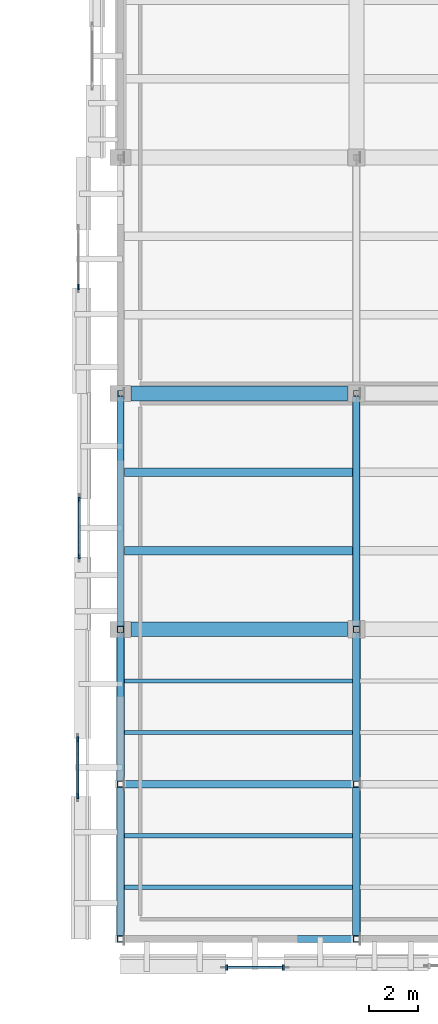
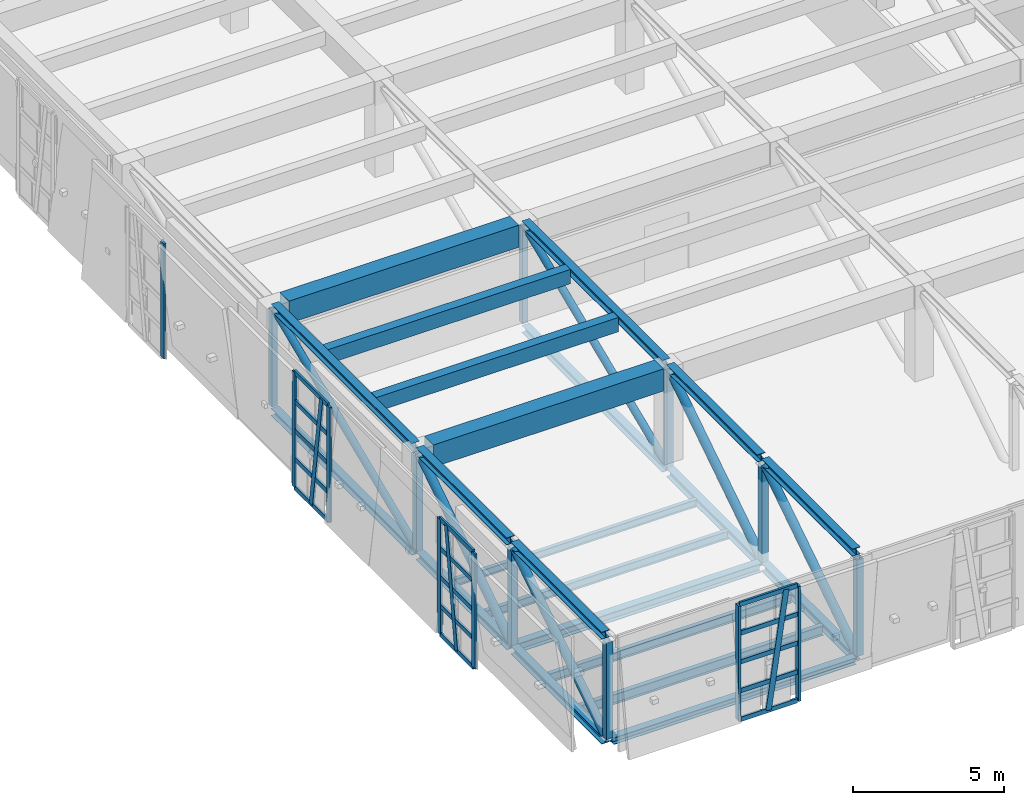
# One storey, part 3 of 62: 51 members, 10 beams, 4 elements without a shape of their own.
"""IFC4 building model written with IfcOpenShell, lengths in metres."""

from ifc_helpers import new_model, si_unit, direction, frame, origin, origin_2d, place, context, subcontext, project, spatial, rectangle, hollow_rectangle, hollow_circle, i_section, extrude, material, layer, layer_set, material_profile, profile_set, type_object, element, aggregate, save


model = new_model("IFC4")

# Units and contexts
model_context = context("Model", 3, precision=1e-05, world=origin(), true_north=direction((0.0, 1.0)))
body_context = subcontext(model_context, "Body", "Model", "MODEL_VIEW")
ifc_project = project(units=[si_unit("LENGTHUNIT", "METRE"), si_unit("AREAUNIT", "SQUARE_METRE"), si_unit("VOLUMEUNIT", "CUBIC_METRE"), si_unit("PLANEANGLEUNIT", "RADIAN"), si_unit("MASSUNIT", "GRAM", prefix="KILO")], contexts=[model_context])

# Site, building, storey
site_placement = place(None, origin())
site = spatial("IfcSite", under=ifc_project, at=site_placement, CompositionType="ELEMENT")
building_placement = place(site_placement, origin())
building = spatial("IfcBuilding", under=site, at=building_placement, Name="Bempovik Park Faculty of Sciences", CompositionType="ELEMENT")
storey_placement = place(building_placement, frame((0.0, 0.0, 9.89990234375)))
storey = spatial("IfcBuildingStorey", under=building, at=storey_placement, Name="L02", CompositionType="ELEMENT", Elevation=9.89990234375)

# Beams
ifc_material_1 = material(Name="Steel S355", Category="steel")
ifc_material_profile_1 = material_profile(ifc_material_1, i_section(OverallWidth=0.14990234375, OverallDepth=0.300048828125, WebThickness=0.007080078125, FlangeThickness=0.0107421875, at=origin_2d()), Name="IPE 300")
ifc_profile_set_1 = profile_set([ifc_material_profile_1], Name="Steel S355")
beam_type_1 = type_object("IfcBeamType", Name="B-043 IPE 300", PredefinedType="JOIST", material=ifc_profile_set_1)
beam_1_placement = place(storey_placement, frame((60.156005859375, 17.699951171875, -0.469970703125), z_axis=(1.0, 0.0, 0.0), x_axis=(0.0, 1.0, 0.0)))
element("IfcBeam", 1, at=beam_1_placement, inside=storey, type_object=beam_type_1, Name="Cantilever Floor Joist L02 (60.0-69.6, y=17.7)", PredefinedType="JOIST", context=body_context, shape_type="SweptSolid", body=[
    extrude(i_section(OverallWidth=0.14990234375, OverallDepth=0.300048828125, WebThickness=0.007080078125, FlangeThickness=0.0107421875, at=origin_2d()), origin(), (0.0, 0.0, 1.0), 9.2880859375),
])
ifc_material_profile_2 = material_profile(ifc_material_1, i_section(OverallWidth=0.300048828125, OverallDepth=0.360107421875, WebThickness=0.012451171875, FlangeThickness=0.0224609375, at=origin_2d()), Name="HEB 360")
ifc_profile_set_2 = profile_set([ifc_material_profile_2], Name="Steel S355")
beam_type_2 = type_object("IfcBeamType", Name="B-102 HEB 360", PredefinedType="BEAM", material=ifc_profile_set_2)
beam_2_placement = place(storey_placement, frame((60.156005859375, 13.5, -0.5), z_axis=(1.0, 0.0, 0.0), x_axis=(0.0, 1.0, 0.0)))
element("IfcBeam", 2, at=beam_2_placement, inside=storey, type_object=beam_type_2, Name="Cantilever Collector Beam L02 (60.0-69.6, y=13.5)", PredefinedType="BEAM", context=body_context, shape_type="SweptSolid", body=[
    extrude(i_section(OverallWidth=0.300048828125, OverallDepth=0.360107421875, WebThickness=0.012451171875, FlangeThickness=0.0224609375, at=origin_2d()), origin(), (0.0, 0.0, 1.0), 9.2880859375),
])
ifc_material_profile_3 = material_profile(ifc_material_1, i_section(OverallWidth=0.169921875, OverallDepth=0.360107421875, WebThickness=0.008056640625, FlangeThickness=0.0126953125, at=origin_2d()), Name="IPE 360")
ifc_profile_set_3 = profile_set([ifc_material_profile_3], Name="Steel S355")
beam_type_3 = type_object("IfcBeamType", Name="B-103 IPE 360", PredefinedType="JOIST", material=ifc_profile_set_3)
beam_3_placement = place(storey_placement, frame((60.156005859375, 11.39990234375, -0.5), z_axis=(1.0, 0.0, 0.0), x_axis=(0.0, 1.0, 0.0)))
element("IfcBeam", 3, at=beam_3_placement, inside=storey, type_object=beam_type_3, Name="Cantilever Floor Joist L02 (60.0-69.6, y=11.4)", PredefinedType="JOIST", context=body_context, shape_type="SweptSolid", body=[
    extrude(i_section(OverallWidth=0.169921875, OverallDepth=0.360107421875, WebThickness=0.008056640625, FlangeThickness=0.0126953125, at=origin_2d()), origin(), (0.0, 0.0, 1.0), 9.2880859375),
])
ifc_material_2 = material(Name="Concrete C35/45", Category="concrete")
ifc_material_profile_4 = material_profile(ifc_material_2, rectangle(XDim=0.35009765625, YDim=0.580078125, at=origin_2d()), Name="RC 350x580")
ifc_profile_set_4 = profile_set([ifc_material_profile_4], Name="Concrete C35/45")
beam_type_4 = type_object("IfcBeamType", Name="B-107 RC 350x580", PredefinedType="JOIST", material=ifc_profile_set_4)
for number, where, z_axis, x_axis, name in (
    (4, (60.156005859375, 23.0, 3.610107421875), (1.0, 0.0, 0.0), (0.0, 1.0, 0.0), "L02 Secondary Joist (60.0-69.6, y=23.00)"),
    (5, (60.156005859375, 26.199951171875, 3.610107421875), (1.0, 0.0, 0.0), (0.0, 1.0, 0.0), "L02 Secondary Joist (60.0-69.6, y=26.20)"),
):
    element("IfcBeam", number, at=place(storey_placement, frame(where, z_axis=z_axis, x_axis=x_axis)), inside=storey, type_object=beam_type_4, Name=name, PredefinedType="JOIST", context=body_context, shape_type="SweptSolid", body=[
        extrude(rectangle(XDim=0.35009765625, YDim=0.580078125, at=origin_2d()), origin(), (0.0, 0.0, 1.0), 9.2880859375),
    ])
ifc_material_profile_5 = material_profile(ifc_material_1, i_section(OverallWidth=0.179931640625, OverallDepth=0.39990234375, WebThickness=0.008544921875, FlangeThickness=0.013427734375, at=origin_2d()), Name="IPE 400")
ifc_profile_set_5 = profile_set([ifc_material_profile_5], Name="Steel S355")
beam_type_5 = type_object("IfcBeamType", Name="B-111 IPE 400", PredefinedType="BEAM", material=ifc_profile_set_5)
beam_4_placement = place(storey_placement, frame((60.156005859375, 9.300048828125, -0.52001953125), z_axis=(1.0, 0.0, 0.0), x_axis=(0.0, 1.0, 0.0)))
element("IfcBeam", 6, at=beam_4_placement, inside=storey, type_object=beam_type_5, Name="Cantilever Floor Joist L02 (60.0-69.6, y=9.3)", PredefinedType="BEAM", context=body_context, shape_type="SweptSolid", body=[
    extrude(i_section(OverallWidth=0.179931640625, OverallDepth=0.39990234375, WebThickness=0.008544921875, FlangeThickness=0.013427734375, at=origin_2d()), origin(), (0.0, 0.0, 1.0), 9.2880859375),
])
ifc_material_3 = material(Name="Concrete C40/50", Category="concrete")
ifc_material_profile_6 = material_profile(ifc_material_3, rectangle(XDim=0.60009765625, YDim=0.89990234375, at=origin_2d()), Name="RC 600x900")
ifc_profile_set_6 = profile_set([ifc_material_profile_6], Name="Concrete C40/50")
beam_type_6 = type_object("IfcBeamType", Name="B-115 RC 600x900", PredefinedType="BEAM", material=ifc_profile_set_6)
for number, where, z_axis, x_axis, name in (
    (7, (60.430908203125, 19.800048828125, 3.4501953125), (1.0, 0.0, 0.0), (0.0, 1.0, 0.0), "L02 Beam X (60.0-69.6, y=19.8)"),
    (8, (60.430908203125, 29.39990234375, 3.4501953125), (1.0, 0.0, 0.0), (0.0, 1.0, 0.0), "L02 Beam X (60.0-69.6, y=29.4)"),
):
    element("IfcBeam", number, at=place(storey_placement, frame(where, z_axis=z_axis, x_axis=x_axis)), inside=storey, type_object=beam_type_6, Name=name, PredefinedType="BEAM", context=body_context, shape_type="SweptSolid", body=[
        extrude(rectangle(XDim=0.60009765625, YDim=0.89990234375, at=origin_2d()), origin(), (0.0, 0.0, 1.0), 8.81298828125),
    ])
ifc_material_profile_7 = material_profile(ifc_material_1, i_section(OverallWidth=0.280029296875, OverallDepth=0.280029296875, WebThickness=0.010498046875, FlangeThickness=0.01806640625, at=origin_2d()), Name="HEB 280")
ifc_profile_set_7 = profile_set([ifc_material_profile_7], Name="Steel S355")
beam_type_7 = type_object("IfcBeamType", Name="B-119 HEB 280", PredefinedType="SPANDREL", material=ifc_profile_set_7)
beam_5_placement = place(storey_placement, frame((60.156005859375, 7.199951171875, -0.4599609375), z_axis=(1.0, 0.0, 0.0), x_axis=(0.0, 1.0, 0.0)))
element("IfcBeam", 9, at=beam_5_placement, inside=storey, type_object=beam_type_7, Name="Cantilever Collector Beam L02 (60.0-69.6, y=7.2)", PredefinedType="SPANDREL", context=body_context, shape_type="SweptSolid", body=[
    extrude(i_section(OverallWidth=0.280029296875, OverallDepth=0.280029296875, WebThickness=0.010498046875, FlangeThickness=0.01806640625, at=origin_2d()), origin(), (0.0, 0.0, 1.0), 9.2880859375),
])
ifc_material_profile_8 = material_profile(ifc_material_1, i_section(OverallWidth=0.159912109375, OverallDepth=0.330078125, WebThickness=0.007568359375, FlangeThickness=0.011474609375, at=origin_2d()), Name="IPE 330")
ifc_profile_set_8 = profile_set([ifc_material_profile_8], Name="Steel S355")
beam_type_8 = type_object("IfcBeamType", Name="B-126 IPE 330", PredefinedType="BEAM", material=ifc_profile_set_8)
beam_6_placement = place(storey_placement, frame((60.156005859375, 15.60009765625, -0.48486328125), z_axis=(1.0, 0.0, 0.0), x_axis=(0.0, 1.0, 0.0)))
element("IfcBeam", 10, at=beam_6_placement, inside=storey, type_object=beam_type_8, Name="Cantilever Floor Joist L02 (60.0-69.6, y=15.6)", PredefinedType="BEAM", context=body_context, shape_type="SweptSolid", body=[
    extrude(i_section(OverallWidth=0.159912109375, OverallDepth=0.330078125, WebThickness=0.007568359375, FlangeThickness=0.011474609375, at=origin_2d()), origin(), (0.0, 0.0, 1.0), 9.2880859375),
])

# Members
ifc_material_profile_9 = material_profile(ifc_material_1, i_section(OverallWidth=0.300048828125, OverallDepth=0.320068359375, WebThickness=0.011474609375, FlangeThickness=0.0205078125, at=origin_2d()), Name="HEB 320")
ifc_profile_set_9 = profile_set([ifc_material_profile_9], Name="Steel S355")
member_type_1 = type_object("IfcMemberType", Name="M-24 HEB 320", PredefinedType="CHORD", material=ifc_profile_set_9)
for number, where, z_axis, x_axis, name in (
    (11, (60.0, 7.33203125, -0.47998046875), (0.0, 1.0, 0.0), (-1.0, 0.0, 0.0), "Cantilever Truss 1 Bottom Chord 1"),
    (12, (60.0, 13.632080078125, -0.47998046875), (0.0, 1.0, 0.0), (-1.0, 0.0, 0.0), "Cantilever Truss 1 Bottom Chord 2"),
    (13, (69.60009765625, 7.33203125, -0.47998046875), (0.0, 1.0, 0.0), (-1.0, 0.0, 0.0), "Cantilever Truss 2 Bottom Chord 1"),
    (14, (69.60009765625, 13.632080078125, -0.47998046875), (0.0, 1.0, 0.0), (-1.0, 0.0, 0.0), "Cantilever Truss 2 Bottom Chord 2"),
):
    element("IfcMember", number, at=place(storey_placement, frame(where, z_axis=z_axis, x_axis=x_axis)), inside=storey, type_object=member_type_1, Name=name, PredefinedType="CHORD", context=body_context, shape_type="SweptSolid", body=[
        extrude(i_section(OverallWidth=0.300048828125, OverallDepth=0.320068359375, WebThickness=0.011474609375, FlangeThickness=0.0205078125, at=origin_2d()), origin(), (0.0, 0.0, 1.0), 6.035888671875),
    ])
ifc_material_profile_10 = material_profile(ifc_material_1, hollow_rectangle(XDim=0.219970703125, YDim=0.219970703125, WallThickness=0.010009765625, at=origin_2d()), Name="SHS 220x220x10")
ifc_profile_set_10 = profile_set([ifc_material_profile_10], Name="Steel S355")
member_type_2 = type_object("IfcMemberType", Name="M-32 SHS 220x220x10", PredefinedType="POST", material=ifc_profile_set_10)
for number, where, z_axis, x_axis, name in (
    (15, (60.0, 29.39990234375, -0.31396484375), (0.0, 0.0, 1.0), (1.0, 0.0, 0.0), "Cantilever Truss 1 L02 Post 4"),
    (16, (69.60009765625, 29.39990234375, -0.31396484375), (0.0, 0.0, 1.0), (1.0, 0.0, 0.0), "Cantilever Truss 2 L02 Post 4"),
):
    element("IfcMember", number, at=place(storey_placement, frame(where, z_axis=z_axis, x_axis=x_axis)), inside=storey, type_object=member_type_2, Name=name, PredefinedType="POST", context=body_context, shape_type="SweptSolid", body=[
        extrude(hollow_rectangle(XDim=0.219970703125, YDim=0.219970703125, WallThickness=0.010009765625, at=origin_2d()), origin(), (0.0, 0.0, 1.0), 3.907958984375),
    ])
ifc_material_profile_11 = material_profile(ifc_material_1, hollow_circle(Radius=0.161865234375, WallThickness=0.01611328125, at=origin_2d()), Name="CHS 323.9x16")
ifc_profile_set_11 = profile_set([ifc_material_profile_11], Name="Steel S355")
member_type_3 = type_object("IfcMemberType", Name="M-38 CHS 323.9x16", PredefinedType="BRACE", material=ifc_profile_set_11)
for number, where, z_axis, x_axis, name in (
    (17, (60.0, 7.3349609375, -0.31396484375), (0.0, 0.839177969372, 0.543856907395), (-1.0, 0.0, 0.0), "Cantilever Truss 1 L02 Diagonal 1"),
    (18, (60.0, 13.635009765625, -0.31396484375), (0.0, 0.839177969372, 0.543856907395), (-1.0, 0.0, 0.0), "Cantilever Truss 1 L02 Diagonal 2"),
    (19, (69.60009765625, 7.3349609375, -0.31396484375), (0.0, 0.839177969372, 0.543856907395), (-1.0, 0.0, 0.0), "Cantilever Truss 2 L02 Diagonal 1"),
    (20, (69.60009765625, 13.635009765625, -0.31396484375), (0.0, 0.839177969372, 0.543856907395), (-1.0, 0.0, 0.0), "Cantilever Truss 2 L02 Diagonal 2"),
):
    element("IfcMember", number, at=place(storey_placement, frame(where, z_axis=z_axis, x_axis=x_axis)), inside=storey, type_object=member_type_3, Name=name, PredefinedType="BRACE", context=body_context, shape_type="SweptSolid", body=[
        extrude(hollow_circle(Radius=0.161865234375, WallThickness=0.01611328125, at=origin_2d()), origin(), (0.0, 0.0, 1.0), 7.185546875),
    ])
ifc_material_profile_12 = material_profile(ifc_material_1, i_section(OverallWidth=0.300048828125, OverallDepth=0.300048828125, WebThickness=0.010986328125, FlangeThickness=0.01904296875, at=origin_2d()), Name="HEB 300")
ifc_profile_set_12 = profile_set([ifc_material_profile_12], Name="Steel S355")
member_type_4 = type_object("IfcMemberType", Name="M-55 HEB 300", PredefinedType="CHORD", material=ifc_profile_set_12)
for number, where, z_axis, x_axis, name in (
    (21, (60.0, 7.33203125, 3.75), (0.0, 1.0, 0.0), (-1.0, 0.0, 0.0), "Cantilever Truss 1 Mid Tie 1"),
    (22, (60.0, 13.632080078125, 3.75), (0.0, 1.0, 0.0), (-1.0, 0.0, 0.0), "Cantilever Truss 1 Mid Tie 2"),
):
    element("IfcMember", number, at=place(storey_placement, frame(where, z_axis=z_axis, x_axis=x_axis)), inside=storey, type_object=member_type_4, Name=name, PredefinedType="CHORD", context=body_context, shape_type="SweptSolid", body=[
        extrude(i_section(OverallWidth=0.300048828125, OverallDepth=0.300048828125, WebThickness=0.010986328125, FlangeThickness=0.01904296875, at=origin_2d()), origin(), (0.0, 0.0, 1.0), 6.035888671875),
    ])
for number, where, z_axis, x_axis, name in (
    (23, (60.0, 19.931884765625, -0.47998046875), (0.0, 1.0, 0.0), (-1.0, 0.0, 0.0), "Cantilever Truss 1 Bottom Chord 3"),
    (24, (60.0, 19.931884765625, 3.75), (0.0, 1.0, 0.0), (-1.0, 0.0, 0.0), "Cantilever Truss 1 Mid Tie 3"),
):
    element("IfcMember", number, at=place(storey_placement, frame(where, z_axis=z_axis, x_axis=x_axis)), inside=storey, type_object=member_type_4, Name=name, PredefinedType="CHORD", context=body_context, shape_type="SweptSolid", body=[
        extrude(i_section(OverallWidth=0.300048828125, OverallDepth=0.300048828125, WebThickness=0.010986328125, FlangeThickness=0.01904296875, at=origin_2d()), origin(), (0.0, 0.0, 1.0), 9.336181640625),
    ])
for number, where, z_axis, x_axis, name in (
    (25, (69.60009765625, 7.33203125, 3.75), (0.0, 1.0, 0.0), (-1.0, 0.0, 0.0), "Cantilever Truss 2 Mid Tie 1"),
    (26, (69.60009765625, 13.632080078125, 3.75), (0.0, 1.0, 0.0), (-1.0, 0.0, 0.0), "Cantilever Truss 2 Mid Tie 2"),
):
    element("IfcMember", number, at=place(storey_placement, frame(where, z_axis=z_axis, x_axis=x_axis)), inside=storey, type_object=member_type_4, Name=name, PredefinedType="CHORD", context=body_context, shape_type="SweptSolid", body=[
        extrude(i_section(OverallWidth=0.300048828125, OverallDepth=0.300048828125, WebThickness=0.010986328125, FlangeThickness=0.01904296875, at=origin_2d()), origin(), (0.0, 0.0, 1.0), 6.035888671875),
    ])
for number, where, z_axis, x_axis, name in (
    (27, (69.60009765625, 19.931884765625, -0.47998046875), (0.0, 1.0, 0.0), (-1.0, 0.0, 0.0), "Cantilever Truss 2 Bottom Chord 3"),
    (28, (69.60009765625, 19.931884765625, 3.75), (0.0, 1.0, 0.0), (-1.0, 0.0, 0.0), "Cantilever Truss 2 Mid Tie 3"),
):
    element("IfcMember", number, at=place(storey_placement, frame(where, z_axis=z_axis, x_axis=x_axis)), inside=storey, type_object=member_type_4, Name=name, PredefinedType="CHORD", context=body_context, shape_type="SweptSolid", body=[
        extrude(i_section(OverallWidth=0.300048828125, OverallDepth=0.300048828125, WebThickness=0.010986328125, FlangeThickness=0.01904296875, at=origin_2d()), origin(), (0.0, 0.0, 1.0), 9.336181640625),
    ])
ifc_material_profile_13 = material_profile(ifc_material_1, hollow_rectangle(XDim=0.25, YDim=0.25, WallThickness=0.012451171875, at=origin_2d()), Name="SHS 250x250x12.5")
ifc_profile_set_13 = profile_set([ifc_material_profile_13], Name="Steel S355")
member_type_5 = type_object("IfcMemberType", Name="M-64 SHS 250x250x12.5", PredefinedType="POST", material=ifc_profile_set_13)
for number, where, z_axis, x_axis, name in (
    (29, (60.0, 7.199951171875, -0.31396484375), (0.0, 0.0, 1.0), (1.0, 0.0, 0.0), "Cantilever Truss 1 L02 Post 1"),
    (30, (60.0, 13.5, -0.31396484375), (0.0, 0.0, 1.0), (1.0, 0.0, 0.0), "Cantilever Truss 1 L02 Post 2"),
    (31, (60.0, 19.800048828125, -0.31396484375), (0.0, 0.0, 1.0), (1.0, 0.0, 0.0), "Cantilever Truss 1 L02 Post 3"),
    (32, (69.60009765625, 7.199951171875, -0.31396484375), (0.0, 0.0, 1.0), (1.0, 0.0, 0.0), "Cantilever Truss 2 L02 Post 1"),
    (33, (69.60009765625, 13.5, -0.31396484375), (0.0, 0.0, 1.0), (1.0, 0.0, 0.0), "Cantilever Truss 2 L02 Post 2"),
    (34, (69.60009765625, 19.800048828125, -0.31396484375), (0.0, 0.0, 1.0), (1.0, 0.0, 0.0), "Cantilever Truss 2 L02 Post 3"),
):
    element("IfcMember", number, at=place(storey_placement, frame(where, z_axis=z_axis, x_axis=x_axis)), inside=storey, type_object=member_type_5, Name=name, PredefinedType="POST", context=body_context, shape_type="SweptSolid", body=[
        extrude(hollow_rectangle(XDim=0.25, YDim=0.25, WallThickness=0.012451171875, at=origin_2d()), origin(), (0.0, 0.0, 1.0), 3.907958984375),
    ])
ifc_material_profile_14 = material_profile(ifc_material_1, hollow_circle(Radius=0.136474609375, WallThickness=0.012451171875, at=origin_2d()), Name="CHS 273x12.5")
ifc_profile_set_14 = profile_set([ifc_material_profile_14], Name="Steel S355")
member_type_6 = type_object("IfcMemberType", Name="M-78 CHS 273x12.5", PredefinedType="BRACE", material=ifc_profile_set_14)
for number, where, z_axis, x_axis, name in (
    (35, (60.0, 19.93505859375, -0.31396484375), (0.0, 0.922354795709, 0.386343928167), (-1.0, 0.0, 0.0), "Cantilever Truss 1 L02 Diagonal 3"),
    (36, (69.60009765625, 19.93505859375, -0.31396484375), (0.0, 0.922354795709, 0.386343928167), (-1.0, 0.0, 0.0), "Cantilever Truss 2 L02 Diagonal 3"),
):
    element("IfcMember", number, at=place(storey_placement, frame(where, z_axis=z_axis, x_axis=x_axis)), inside=storey, type_object=member_type_6, Name=name, PredefinedType="BRACE", context=body_context, shape_type="SweptSolid", body=[
        extrude(hollow_circle(Radius=0.136474609375, WallThickness=0.012451171875, at=origin_2d()), origin(), (0.0, 0.0, 1.0), 10.115234375),
    ])

# Curtain wall, members
ifc_material_4 = material(Name="Tempered laminated low-E glass", Category="glass")
ifc_layer = layer(ifc_material_4, 0.159912109375)
ifc_layer_set = layer_set([ifc_layer], Name="Tempered laminated low-E glass")
curtain_wall_type = type_object("IfcCurtainWallType", Name="CW-61 Curtain 2400x4200", PredefinedType="USERDEFINED", material=ifc_layer_set)
curtain_wall_1_placement = place(storey_placement, origin())
curtain_wall_1 = element("IfcCurtainWall", 37, at=curtain_wall_1_placement, inside=storey, type_object=curtain_wall_type, Name="L02 Crystal Slantwise Light Fold (7.2,60.0)", ObjectType="UNITISED CURTAIN WALL", PredefinedType="USERDEFINED")
ifc_material_5 = material(Name="Anodised architectural bronze", Category="aluminium")
ifc_material_profile_15 = material_profile(ifc_material_5, rectangle(XDim=0.080078125, YDim=0.219970703125, at=origin_2d()), Name="ALU-M 80x220")
ifc_profile_set_15 = profile_set([ifc_material_profile_15], Name="Anodised architectural bronze")
member_type_7 = type_object("IfcMemberType", Name="ML-29 ALU-M 80x220", PredefinedType="MULLION", material=ifc_profile_set_15)
member_1_placement = place(storey_placement, frame((64.324951171875, 6.03955078125, -0.419921875), z_axis=(0.0, 0.0, 1.0), x_axis=(1.0, 0.0, 0.0)))
member_1 = element("IfcMember", 38, at=member_1_placement, type_object=member_type_7, Name="CW-FOLD-L02-72-600 Mullion 0", PredefinedType="MULLION", context=body_context, shape_type="SweptSolid", body=[
    extrude(rectangle(XDim=0.080078125, YDim=0.219970703125, at=origin_2d()), origin(), (0.0, 0.0, 1.0), 4.659912109375),
])
member_2_placement = place(storey_placement, frame((65.47509765625, 6.03955078125, -0.419921875), z_axis=(0.144381979777, 0.0, 0.989522028009), x_axis=(0.0, 1.0, 0.0)))
member_2 = element("IfcMember", 39, at=member_2_placement, type_object=member_type_7, Name="CW-FOLD-L02-72-600 Mullion 1", PredefinedType="MULLION", context=body_context, shape_type="SweptSolid", body=[
    extrude(rectangle(XDim=0.080078125, YDim=0.219970703125, at=origin_2d()), origin(), (0.0, 0.0, 1.0), 4.709228515625),
])
member_3_placement = place(storey_placement, frame((66.625, 6.03955078125, -0.419921875), z_axis=(0.0, 0.0, 1.0), x_axis=(1.0, 0.0, 0.0)))
member_3 = element("IfcMember", 40, at=member_3_placement, type_object=member_type_7, Name="CW-FOLD-L02-72-600 Mullion 2", PredefinedType="MULLION", context=body_context, shape_type="SweptSolid", body=[
    extrude(rectangle(XDim=0.080078125, YDim=0.219970703125, at=origin_2d()), origin(), (0.0, 0.0, 1.0), 4.659912109375),
])

curtain_wall_2_placement = place(storey_placement, origin())
curtain_wall_2 = element("IfcCurtainWall", 41, at=curtain_wall_2_placement, inside=storey, type_object=curtain_wall_type, Name="L02 Crystal Slantwise Light Fold (60.0,7.2)", ObjectType="UNITISED CURTAIN WALL", PredefinedType="USERDEFINED")
member_4_placement = place(storey_placement, frame((58.259521484375, 13.02490234375, -0.419921875), z_axis=(0.0, 0.0, 1.0), x_axis=(1.0, 0.0, 0.0)))
member_4 = element("IfcMember", 42, at=member_4_placement, type_object=member_type_7, Name="CW-FOLD-L02-600-72 Mullion 0", PredefinedType="MULLION", context=body_context, shape_type="SweptSolid", body=[
    extrude(rectangle(XDim=0.080078125, YDim=0.219970703125, at=origin_2d()), origin(), (0.0, 0.0, 1.0), 4.659912109375),
])
member_5_placement = place(storey_placement, frame((58.259521484375, 14.175048828125, -0.419921875), z_axis=(0.0, 0.144381979777, 0.989522028009), x_axis=(-1.0, 0.0, 0.0)))
member_5 = element("IfcMember", 43, at=member_5_placement, type_object=member_type_7, Name="CW-FOLD-L02-600-72 Mullion 1", PredefinedType="MULLION", context=body_context, shape_type="SweptSolid", body=[
    extrude(rectangle(XDim=0.080078125, YDim=0.219970703125, at=origin_2d()), origin(), (0.0, 0.0, 1.0), 4.709228515625),
])
member_6_placement = place(storey_placement, frame((58.259521484375, 15.324951171875, -0.419921875), z_axis=(0.0, 0.0, 1.0), x_axis=(1.0, 0.0, 0.0)))
member_6 = element("IfcMember", 44, at=member_6_placement, type_object=member_type_7, Name="CW-FOLD-L02-600-72 Mullion 2", PredefinedType="MULLION", context=body_context, shape_type="SweptSolid", body=[
    extrude(rectangle(XDim=0.080078125, YDim=0.219970703125, at=origin_2d()), origin(), (0.0, 0.0, 1.0), 4.659912109375),
])

curtain_wall_3_placement = place(storey_placement, origin())
curtain_wall_3 = element("IfcCurtainWall", 45, at=curtain_wall_3_placement, inside=storey, type_object=curtain_wall_type, Name="L02 Crystal Slantwise Light Fold (60.0,19.8)", ObjectType="UNITISED CURTAIN WALL", PredefinedType="USERDEFINED")
member_7_placement = place(storey_placement, frame((58.32421875, 22.77490234375, -0.419921875), z_axis=(0.0, 0.0, 1.0), x_axis=(1.0, 0.0, 0.0)))
member_7 = element("IfcMember", 46, at=member_7_placement, type_object=member_type_7, Name="CW-FOLD-L02-600-198 Mullion 0", PredefinedType="MULLION", context=body_context, shape_type="SweptSolid", body=[
    extrude(rectangle(XDim=0.080078125, YDim=0.219970703125, at=origin_2d()), origin(), (0.0, 0.0, 1.0), 4.659912109375),
])
member_8_placement = place(storey_placement, frame((58.32421875, 23.925048828125, -0.419921875), z_axis=(0.0, -0.144381979777, 0.989522028009), x_axis=(1.0, 0.0, 0.0)))
member_8 = element("IfcMember", 47, at=member_8_placement, type_object=member_type_7, Name="CW-FOLD-L02-600-198 Mullion 1", PredefinedType="MULLION", context=body_context, shape_type="SweptSolid", body=[
    extrude(rectangle(XDim=0.080078125, YDim=0.219970703125, at=origin_2d()), origin(), (0.0, 0.0, 1.0), 4.709228515625),
])
member_9_placement = place(storey_placement, frame((58.32421875, 25.074951171875, -0.419921875), z_axis=(0.0, 0.0, 1.0), x_axis=(1.0, 0.0, 0.0)))
member_9 = element("IfcMember", 48, at=member_9_placement, type_object=member_type_7, Name="CW-FOLD-L02-600-198 Mullion 2", PredefinedType="MULLION", context=body_context, shape_type="SweptSolid", body=[
    extrude(rectangle(XDim=0.080078125, YDim=0.219970703125, at=origin_2d()), origin(), (0.0, 0.0, 1.0), 4.659912109375),
])

# Curtain wall, member
curtain_wall_4_placement = place(storey_placement, origin())
curtain_wall_4 = element("IfcCurtainWall", 49, at=curtain_wall_4_placement, inside=storey, type_object=curtain_wall_type, Name="L02 Crystal Slantwise Light Fold (60.0,29.4)", ObjectType="UNITISED CURTAIN WALL", PredefinedType="USERDEFINED")
member_10_placement = place(storey_placement, frame((58.291748046875, 33.72509765625, -0.419921875), z_axis=(0.0, 0.0, 1.0), x_axis=(1.0, 0.0, 0.0)))
member_10 = element("IfcMember", 50, at=member_10_placement, type_object=member_type_7, Name="CW-FOLD-L02-600-294 Mullion 0", PredefinedType="MULLION", context=body_context, shape_type="SweptSolid", body=[
    extrude(rectangle(XDim=0.080078125, YDim=0.219970703125, at=origin_2d()), origin(), (0.0, 0.0, 1.0), 4.659912109375),
])
aggregate(curtain_wall_4, [member_10])

# Member
ifc_material_profile_16 = material_profile(ifc_material_5, rectangle(XDim=0.080078125, YDim=0.179931640625, at=origin_2d()), Name="ALU-T 80x180")
ifc_profile_set_16 = profile_set([ifc_material_profile_16], Name="Anodised architectural bronze")
member_type_8 = type_object("IfcMemberType", Name="TR-29 ALU-T 80x180", PredefinedType="USERDEFINED", material=ifc_profile_set_16)
member_11_placement = place(storey_placement, frame((64.364990234375, 6.03955078125, -0.419921875), z_axis=(1.0, 0.0, 0.0), x_axis=(0.0, 1.0, 0.0)))
member_11 = element("IfcMember", 51, at=member_11_placement, type_object=member_type_8, Name="CW-FOLD-L02-72-600 Transom 0", ObjectType="TRANSOM", PredefinedType="USERDEFINED", context=body_context, shape_type="SweptSolid", body=[
    extrude(rectangle(XDim=0.080078125, YDim=0.179931640625, at=origin_2d()), origin(), (0.0, 0.0, 1.0), 2.219970703125),
])

member_12_placement = place(storey_placement, frame((64.364990234375, 6.03955078125, 0.7451171875), z_axis=(1.0, 0.0, 0.0), x_axis=(0.0, 1.0, 0.0)))
member_12 = element("IfcMember", 52, at=member_12_placement, type_object=member_type_8, Name="CW-FOLD-L02-72-600 Transom 1", ObjectType="TRANSOM", PredefinedType="USERDEFINED", context=body_context, shape_type="SweptSolid", body=[
    extrude(rectangle(XDim=0.080078125, YDim=0.179931640625, at=origin_2d()), origin(), (0.0, 0.0, 1.0), 2.219970703125),
])

member_13_placement = place(storey_placement, frame((64.364990234375, 6.03955078125, 1.91015625), z_axis=(1.0, 0.0, 0.0), x_axis=(0.0, 1.0, 0.0)))
member_13 = element("IfcMember", 53, at=member_13_placement, type_object=member_type_8, Name="CW-FOLD-L02-72-600 Transom 2", ObjectType="TRANSOM", PredefinedType="USERDEFINED", context=body_context, shape_type="SweptSolid", body=[
    extrude(rectangle(XDim=0.080078125, YDim=0.179931640625, at=origin_2d()), origin(), (0.0, 0.0, 1.0), 2.219970703125),
])

member_14_placement = place(storey_placement, frame((64.364990234375, 6.03955078125, 3.0751953125), z_axis=(1.0, 0.0, 0.0), x_axis=(0.0, 1.0, 0.0)))
member_14 = element("IfcMember", 54, at=member_14_placement, type_object=member_type_8, Name="CW-FOLD-L02-72-600 Transom 3", ObjectType="TRANSOM", PredefinedType="USERDEFINED", context=body_context, shape_type="SweptSolid", body=[
    extrude(rectangle(XDim=0.080078125, YDim=0.179931640625, at=origin_2d()), origin(), (0.0, 0.0, 1.0), 2.219970703125),
])

member_15_placement = place(storey_placement, frame((64.364990234375, 6.03955078125, 4.239990234375), z_axis=(1.0, 0.0, 0.0), x_axis=(0.0, 1.0, 0.0)))
member_15 = element("IfcMember", 55, at=member_15_placement, type_object=member_type_8, Name="CW-FOLD-L02-72-600 Transom 4", ObjectType="TRANSOM", PredefinedType="USERDEFINED", context=body_context, shape_type="SweptSolid", body=[
    extrude(rectangle(XDim=0.080078125, YDim=0.179931640625, at=origin_2d()), origin(), (0.0, 0.0, 1.0), 2.219970703125),
])

aggregate(curtain_wall_1, [member_1, member_2, member_3, member_11, member_12, member_13, member_14, member_15])

member_16_placement = place(storey_placement, frame((58.259521484375, 13.06494140625, -0.419921875), z_axis=(0.0, 1.0, 0.0), x_axis=(-1.0, 0.0, 0.0)))
member_16 = element("IfcMember", 56, at=member_16_placement, type_object=member_type_8, Name="CW-FOLD-L02-600-72 Transom 0", ObjectType="TRANSOM", PredefinedType="USERDEFINED", context=body_context, shape_type="SweptSolid", body=[
    extrude(rectangle(XDim=0.080078125, YDim=0.179931640625, at=origin_2d()), origin(), (0.0, 0.0, 1.0), 2.219970703125),
])

member_17_placement = place(storey_placement, frame((58.259521484375, 13.06494140625, 0.7451171875), z_axis=(0.0, 1.0, 0.0), x_axis=(-1.0, 0.0, 0.0)))
member_17 = element("IfcMember", 57, at=member_17_placement, type_object=member_type_8, Name="CW-FOLD-L02-600-72 Transom 1", ObjectType="TRANSOM", PredefinedType="USERDEFINED", context=body_context, shape_type="SweptSolid", body=[
    extrude(rectangle(XDim=0.080078125, YDim=0.179931640625, at=origin_2d()), origin(), (0.0, 0.0, 1.0), 2.219970703125),
])

member_18_placement = place(storey_placement, frame((58.259521484375, 13.06494140625, 1.91015625), z_axis=(0.0, 1.0, 0.0), x_axis=(-1.0, 0.0, 0.0)))
member_18 = element("IfcMember", 58, at=member_18_placement, type_object=member_type_8, Name="CW-FOLD-L02-600-72 Transom 2", ObjectType="TRANSOM", PredefinedType="USERDEFINED", context=body_context, shape_type="SweptSolid", body=[
    extrude(rectangle(XDim=0.080078125, YDim=0.179931640625, at=origin_2d()), origin(), (0.0, 0.0, 1.0), 2.219970703125),
])

member_19_placement = place(storey_placement, frame((58.259521484375, 13.06494140625, 3.0751953125), z_axis=(0.0, 1.0, 0.0), x_axis=(-1.0, 0.0, 0.0)))
member_19 = element("IfcMember", 59, at=member_19_placement, type_object=member_type_8, Name="CW-FOLD-L02-600-72 Transom 3", ObjectType="TRANSOM", PredefinedType="USERDEFINED", context=body_context, shape_type="SweptSolid", body=[
    extrude(rectangle(XDim=0.080078125, YDim=0.179931640625, at=origin_2d()), origin(), (0.0, 0.0, 1.0), 2.219970703125),
])

member_20_placement = place(storey_placement, frame((58.259521484375, 13.06494140625, 4.239990234375), z_axis=(0.0, 1.0, 0.0), x_axis=(-1.0, 0.0, 0.0)))
member_20 = element("IfcMember", 60, at=member_20_placement, type_object=member_type_8, Name="CW-FOLD-L02-600-72 Transom 4", ObjectType="TRANSOM", PredefinedType="USERDEFINED", context=body_context, shape_type="SweptSolid", body=[
    extrude(rectangle(XDim=0.080078125, YDim=0.179931640625, at=origin_2d()), origin(), (0.0, 0.0, 1.0), 2.219970703125),
])

aggregate(curtain_wall_2, [member_4, member_5, member_6, member_16, member_17, member_18, member_19, member_20])

member_21_placement = place(storey_placement, frame((58.32421875, 22.81494140625, -0.419921875), z_axis=(0.0, 1.0, 0.0), x_axis=(-1.0, 0.0, 0.0)))
member_21 = element("IfcMember", 61, at=member_21_placement, type_object=member_type_8, Name="CW-FOLD-L02-600-198 Transom 0", ObjectType="TRANSOM", PredefinedType="USERDEFINED", context=body_context, shape_type="SweptSolid", body=[
    extrude(rectangle(XDim=0.080078125, YDim=0.179931640625, at=origin_2d()), origin(), (0.0, 0.0, 1.0), 2.219970703125),
])

member_22_placement = place(storey_placement, frame((58.32421875, 22.81494140625, 0.7451171875), z_axis=(0.0, 1.0, 0.0), x_axis=(-1.0, 0.0, 0.0)))
member_22 = element("IfcMember", 62, at=member_22_placement, type_object=member_type_8, Name="CW-FOLD-L02-600-198 Transom 1", ObjectType="TRANSOM", PredefinedType="USERDEFINED", context=body_context, shape_type="SweptSolid", body=[
    extrude(rectangle(XDim=0.080078125, YDim=0.179931640625, at=origin_2d()), origin(), (0.0, 0.0, 1.0), 2.219970703125),
])

member_23_placement = place(storey_placement, frame((58.32421875, 22.81494140625, 1.91015625), z_axis=(0.0, 1.0, 0.0), x_axis=(-1.0, 0.0, 0.0)))
member_23 = element("IfcMember", 63, at=member_23_placement, type_object=member_type_8, Name="CW-FOLD-L02-600-198 Transom 2", ObjectType="TRANSOM", PredefinedType="USERDEFINED", context=body_context, shape_type="SweptSolid", body=[
    extrude(rectangle(XDim=0.080078125, YDim=0.179931640625, at=origin_2d()), origin(), (0.0, 0.0, 1.0), 2.219970703125),
])

member_24_placement = place(storey_placement, frame((58.32421875, 22.81494140625, 3.0751953125), z_axis=(0.0, 1.0, 0.0), x_axis=(-1.0, 0.0, 0.0)))
member_24 = element("IfcMember", 64, at=member_24_placement, type_object=member_type_8, Name="CW-FOLD-L02-600-198 Transom 3", ObjectType="TRANSOM", PredefinedType="USERDEFINED", context=body_context, shape_type="SweptSolid", body=[
    extrude(rectangle(XDim=0.080078125, YDim=0.179931640625, at=origin_2d()), origin(), (0.0, 0.0, 1.0), 2.219970703125),
])

member_25_placement = place(storey_placement, frame((58.32421875, 22.81494140625, 4.239990234375), z_axis=(0.0, 1.0, 0.0), x_axis=(-1.0, 0.0, 0.0)))
member_25 = element("IfcMember", 65, at=member_25_placement, type_object=member_type_8, Name="CW-FOLD-L02-600-198 Transom 4", ObjectType="TRANSOM", PredefinedType="USERDEFINED", context=body_context, shape_type="SweptSolid", body=[
    extrude(rectangle(XDim=0.080078125, YDim=0.179931640625, at=origin_2d()), origin(), (0.0, 0.0, 1.0), 2.219970703125),
])

aggregate(curtain_wall_3, [member_7, member_8, member_9, member_21, member_22, member_23, member_24, member_25])

save(model, "model.ifc")
